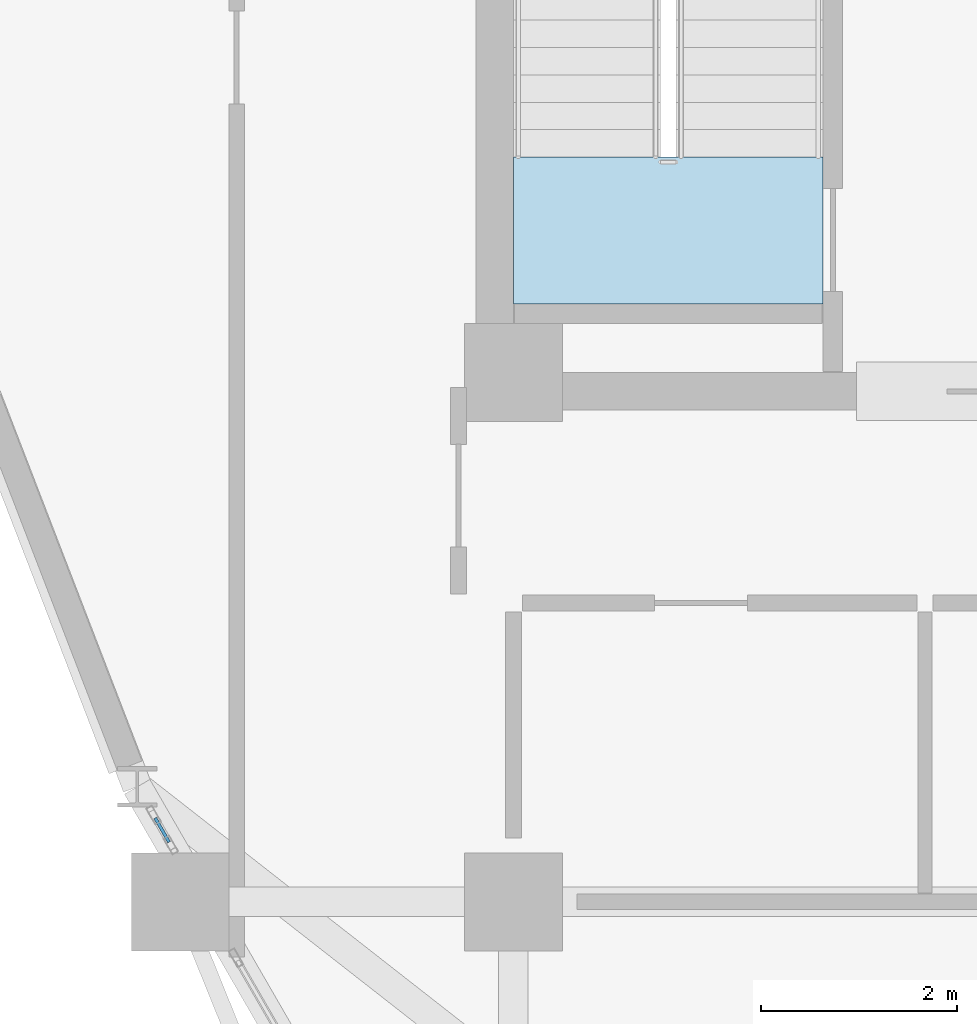
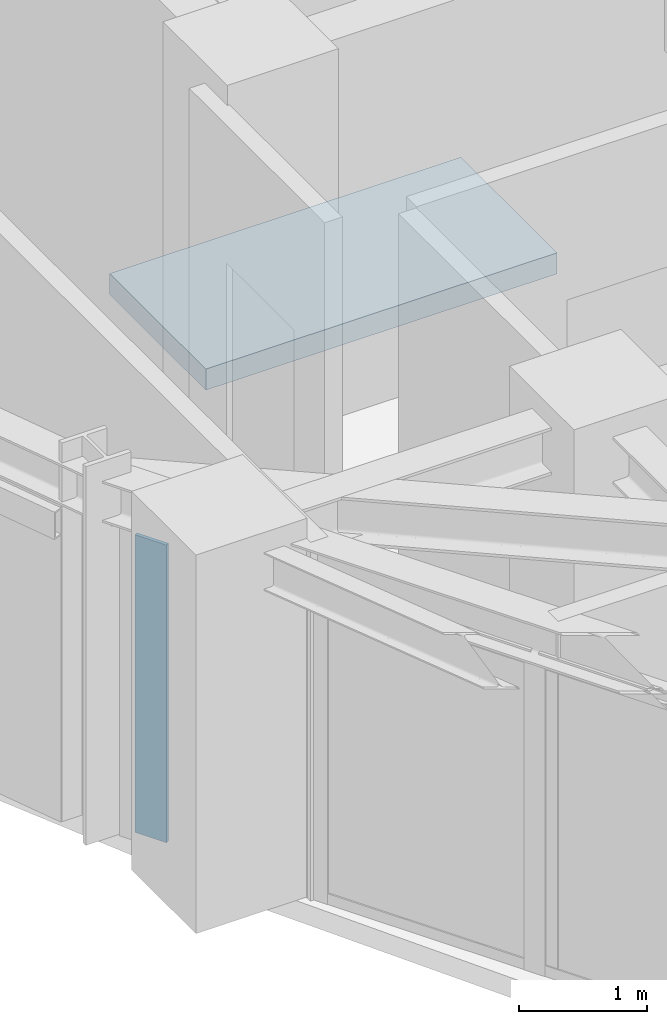
# One storey, part 11 of 16: 1 plate, 1 slab, 1 element without a shape of its own.
"""IFC4 building model written with IfcOpenShell, lengths in metres."""

from ifc_helpers import new_model, si_unit, derived_unit, direction, frame, origin, origin_2d, place, context, subcontext, project, spatial, polyline, rectangle, outline, extrude, source, transform, mapped, material, layer, layer_set, type_object, element, aggregate, save


model = new_model("IFC4")

# Units and contexts
model_context = context("Model", 3, precision=1e-05, world=origin(), true_north=direction((0.0, 1.0)))
body_context = subcontext(model_context, "Body", "Model", "MODEL_VIEW")
ifc_project = project(units=[si_unit("LENGTHUNIT", "METRE"), si_unit("AREAUNIT", "SQUARE_METRE"), si_unit("VOLUMEUNIT", "CUBIC_METRE"), si_unit("PLANEANGLEUNIT", "RADIAN"), si_unit("MASSUNIT", "GRAM", prefix="KILO"), derived_unit("THERMALTRANSMITTANCEUNIT", [(si_unit("POWERUNIT", "WATT"), 1), (si_unit("LENGTHUNIT", "METRE"), -2), (si_unit("THERMODYNAMICTEMPERATUREUNIT", "KELVIN"), -1)])], contexts=[model_context])

# Site, building, storey
site_placement = place(None, origin())
site = spatial("IfcSite", under=ifc_project, at=site_placement, CompositionType="ELEMENT")
building_placement = place(site_placement, origin())
building = spatial("IfcBuilding", under=site, at=building_placement, Name="Korsvarv Bourse and Concert Hall", CompositionType="ELEMENT")
storey_placement = place(building_placement, frame((0.0, 0.0, 220.199951171875)))
storey = spatial("IfcBuildingStorey", under=building, at=storey_placement, Name="L57", CompositionType="ELEMENT", Elevation=220.199951171875)

# Slab
ifc_material_1 = material(Name="Precast concrete C45/55", Category="concrete")
ifc_layer_1 = layer(ifc_material_1, 0.199951171875)
ifc_layer_set_1 = layer_set([ifc_layer_1], Name="Precast concrete C45/55")
slab_type = type_object("IfcSlabType", Name="SLB-FLND-T", PredefinedType="LANDING", material=ifc_layer_set_1)
slab_placement = place(storey_placement, frame((0.0, 0.0, -0.199951171875)))
element("IfcSlab", 1, at=slab_placement, inside=storey, type_object=slab_type, Name="L57 Stair ST-T1 Floor Landing Slab", PredefinedType="LANDING", context=body_context, shape_type="SweptSolid", body=[
    extrude(outline(polyline([(30.760009765625, 38.5), (30.760009765625, 40.0), (27.60009765625, 40.0), (27.60009765625, 38.5), (30.760009765625, 38.5)])), origin(), (0.0, 0.0, 1.0), 0.199951171875),
])

# Curtain wall, plate
ifc_material_2 = material(Name="Anodised aluminium and triple low-E glazing", Category="glass")
ifc_layer_2 = layer(ifc_material_2, 0.199951171875)
ifc_layer_set_2 = layer_set([ifc_layer_2], Name="Anodised aluminium and triple low-E glazing")
curtain_wall_type = type_object("IfcCurtainWallType", Name="CW-SYS-3", PredefinedType="NOTDEFINED", material=ifc_layer_set_2)
curtain_wall_placement = place(storey_placement, origin())
curtain_wall = element("IfcCurtainWall", 2, at=curtain_wall_placement, inside=storey, type_object=curtain_wall_type, Name="L57 CW3 curtain wall CW-L57-F07-1", PredefinedType="NOTDEFINED")
ifc_material_3 = material(Name="Insulated spandrel glass", Category="glass")
ifc_layer_3 = layer(ifc_material_3, 0.031982421875)
ifc_layer_set_3 = layer_set([ifc_layer_3], Name="Insulated spandrel glass")
plate_type = type_object("IfcPlateType", Name="CWP-SPD1", PredefinedType="CURTAIN_PANEL", material=ifc_layer_set_3)
shared_shape = source(origin(), body_context, "Body", "SweptSolid", [
    extrude(rectangle(XDim=0.282958984375, YDim=0.031982421875, at=origin_2d()), origin(), (0.0, 0.0, 1.0), 2.830078125),
])
plate_placement = place(storey_placement, frame((24.01513671875, 33.133056640625, 0.06494140625), z_axis=(0.0, 0.0, 1.0), x_axis=(0.49995447027, -0.866051688791, 0.0)))
plate = element("IfcPlate", 3, at=plate_placement, type_object=plate_type, Name="CW3 spandrel shadow-box panel 1.1", PredefinedType="CURTAIN_PANEL", context=body_context, shape_type="MappedRepresentation", body=[
    mapped(shared_shape, transform((0.0, 0.0, 0.0), scale=1.0)),
])
aggregate(curtain_wall, [plate])

save(model, "model.ifc")
